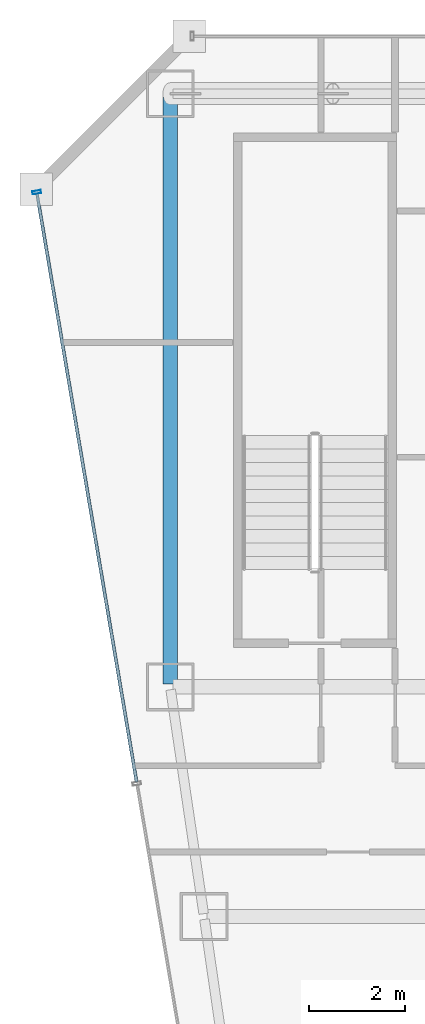
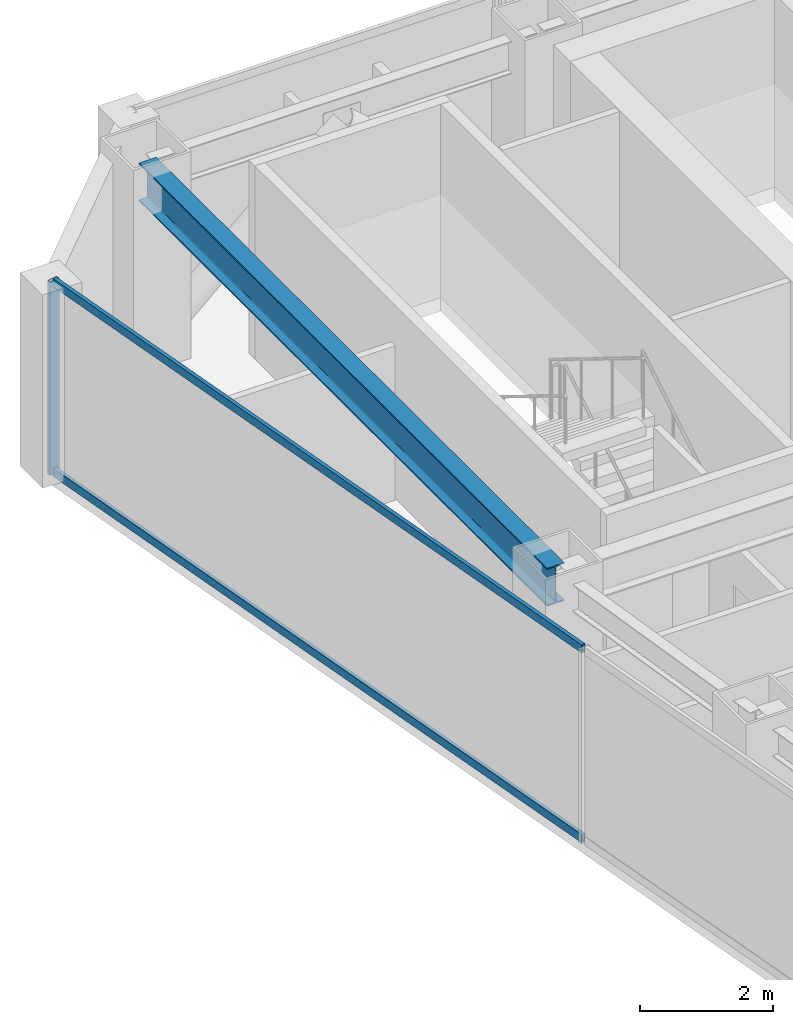
# One storey, part 21 of 36: 3 members, 1 beam, 1 element without a shape of its own.
"""IFC4 building model written with IfcOpenShell, lengths in metres."""

from ifc_helpers import new_model, si_unit, direction, frame, origin, origin_2d, place, context, subcontext, project, spatial, hollow_rectangle, i_section, extrude, material, material_profile, profile_set, type_object, element, aggregate, save


model = new_model("IFC4")

# Units and contexts
model_context = context("Model", 3, precision=1e-05, world=origin(), true_north=direction((0.0, 1.0)))
body_context = subcontext(model_context, "Body", "Model", "MODEL_VIEW")
ifc_project = project(units=[si_unit("LENGTHUNIT", "METRE"), si_unit("AREAUNIT", "SQUARE_METRE"), si_unit("VOLUMEUNIT", "CUBIC_METRE"), si_unit("PLANEANGLEUNIT", "RADIAN"), si_unit("MASSUNIT", "GRAM", prefix="KILO")], contexts=[model_context])

# Site, building, storey
site_placement = place(None, origin())
site = spatial("IfcSite", under=ifc_project, at=site_placement, CompositionType="ELEMENT")
building_placement = place(site_placement, origin())
building = spatial("IfcBuilding", under=site, at=building_placement, Name="Saevonmaru Cultural Tower", CompositionType="ELEMENT")
storey_placement = place(building_placement, frame((0.0, 0.0, 171.39990234375)))
storey = spatial("IfcBuildingStorey", under=building, at=storey_placement, Name="L38", CompositionType="ELEMENT", Elevation=171.39990234375)

# Beam
ifc_material_1 = material(Name="Steel SM355", Category="steel")
ifc_material_profile_1 = material_profile(ifc_material_1, i_section(OverallWidth=0.300048828125, OverallDepth=0.699951171875, WebThickness=0.012939453125, FlangeThickness=0.02392578125, FilletRadius=0.02587890625, at=origin_2d()), Name="H-700x300x13x24")
ifc_profile_set_1 = profile_set([ifc_material_profile_1], Name="Steel SM355")
beam_type = type_object("IfcBeamType", Name="BM-G-H700", PredefinedType="BEAM", material=ifc_profile_set_1)
beam_placement = place(storey_placement, frame((6.800048828125, 54.739990234375, 3.2001953125), z_axis=(0.0, -1.0, 0.0), x_axis=(1.0, 0.0, 0.0)))
element("IfcBeam", 1, at=beam_placement, inside=storey, type_object=beam_type, Name="L38 Spine Transverse Girder W", PredefinedType="BEAM", context=body_context, shape_type="SweptSolid", body=[
    extrude(i_section(OverallWidth=0.300048828125, OverallDepth=0.699951171875, WebThickness=0.012939453125, FlangeThickness=0.02392578125, FilletRadius=0.02587890625, at=origin_2d()), origin(), (0.0, 0.0, 1.0), 12.280029296875),
])

# Curtain wall, members
ifc_material_2 = material(Name="Satin Bronze Anodised Aluminium", Category="aluminium")
curtain_wall_type = type_object("IfcCurtainWallType", Name="CW-TYP-A", PredefinedType="NOTDEFINED", material=ifc_material_2)
curtain_wall_placement = place(storey_placement, origin())
curtain_wall = element("IfcCurtainWall", 2, at=curtain_wall_placement, inside=storey, type_object=curtain_wall_type, Name="L38 Unitised Curtain Wall E12", PredefinedType="NOTDEFINED")
ifc_material_profile_2 = material_profile(ifc_material_2, hollow_rectangle(XDim=0.06494140625, YDim=0.179931640625, WallThickness=0.00390625, at=origin_2d()), Name="ALU-MULL-180x65x4")
ifc_profile_set_2 = profile_set([ifc_material_profile_2], Name="Satin Bronze Anodised Aluminium")
member_type_1 = type_object("IfcMemberType", Name="ML-CW-180x65", PredefinedType="MULLION", material=ifc_profile_set_2)
member_1_placement = place(storey_placement, frame((4.010009765625, 52.74072265625, 0.0), z_axis=(0.0, 0.0, 1.0), x_axis=(0.16692169721, -0.985970155228, 0.0)))
member_1 = element("IfcMember", 3, at=member_1_placement, type_object=member_type_1, Name="CW-TW-L38-E12 mullion 1", PredefinedType="MULLION", context=body_context, shape_type="SweptSolid", body=[
    extrude(hollow_rectangle(XDim=0.06494140625, YDim=0.179931640625, WallThickness=0.00390625, at=origin_2d()), origin(), (0.0, 0.0, 1.0), 3.550048828125),
])
ifc_material_profile_3 = material_profile(ifc_material_2, hollow_rectangle(XDim=0.06494140625, YDim=0.14990234375, WallThickness=0.00390625, at=origin_2d()), Name="ALU-TRAN-150x65x4")
ifc_profile_set_3 = profile_set([ifc_material_profile_3], Name="Satin Bronze Anodised Aluminium")
member_type_2 = type_object("IfcMemberType", Name="TR-CW-150x65", PredefinedType="USERDEFINED", material=ifc_profile_set_3)
member_2_placement = place(storey_placement, frame((4.015380859375, 52.708740234375, 0.03271484375), z_axis=(0.166925351203, -0.985969536611, 0.0), x_axis=(0.985969536611, 0.166925351203, 0.0)))
member_2 = element("IfcMember", 4, at=member_2_placement, type_object=member_type_2, Name="CW-TW-L38-E12 transom 1.1", ObjectType="TRANSOM", PredefinedType="USERDEFINED", context=body_context, shape_type="SweptSolid", body=[
    extrude(hollow_rectangle(XDim=0.06494140625, YDim=0.14990234375, WallThickness=0.00390625, at=origin_2d()), origin(), (0.0, 0.0, 1.0), 12.471435546875),
])
member_3_placement = place(storey_placement, frame((4.015380859375, 52.708740234375, 3.517578125), z_axis=(0.166925351203, -0.985969536611, 0.0), x_axis=(0.985969536611, 0.166925351203, 0.0)))
member_3 = element("IfcMember", 5, at=member_3_placement, type_object=member_type_2, Name="CW-TW-L38-E12 transom 1.2", ObjectType="TRANSOM", PredefinedType="USERDEFINED", context=body_context, shape_type="SweptSolid", body=[
    extrude(hollow_rectangle(XDim=0.06494140625, YDim=0.14990234375, WallThickness=0.00390625, at=origin_2d()), origin(), (0.0, 0.0, 1.0), 12.471435546875),
])
aggregate(curtain_wall, [member_1, member_2, member_3])

save(model, "model.ifc")
